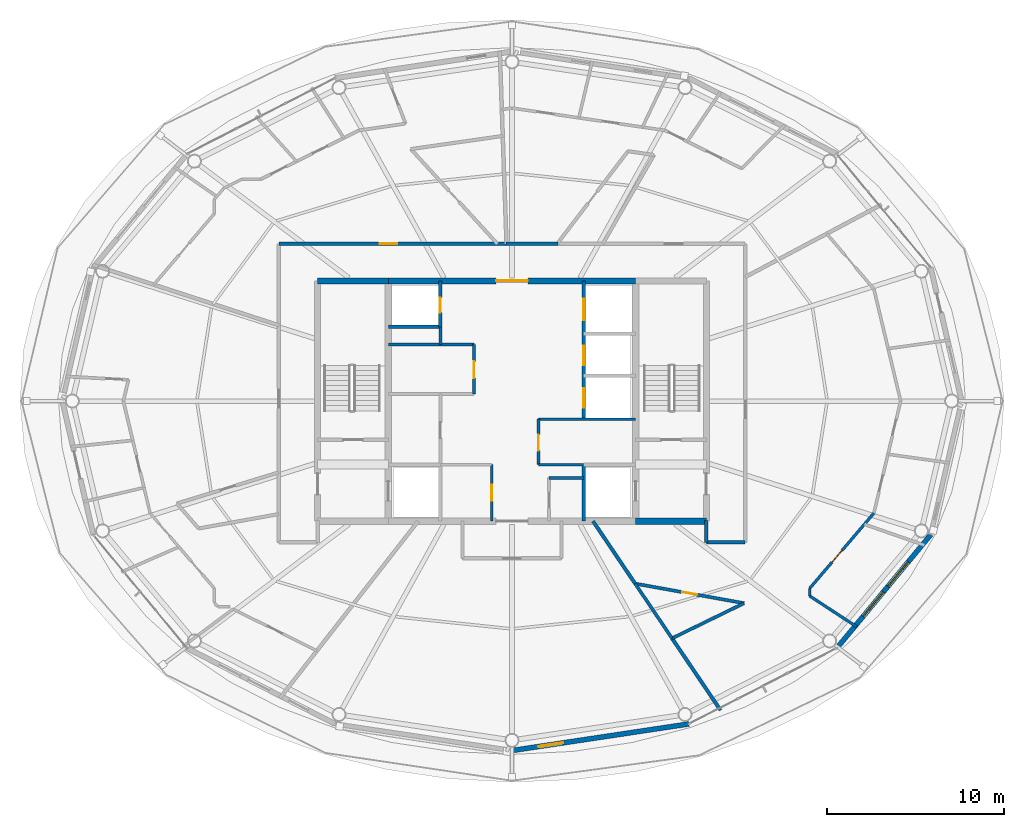
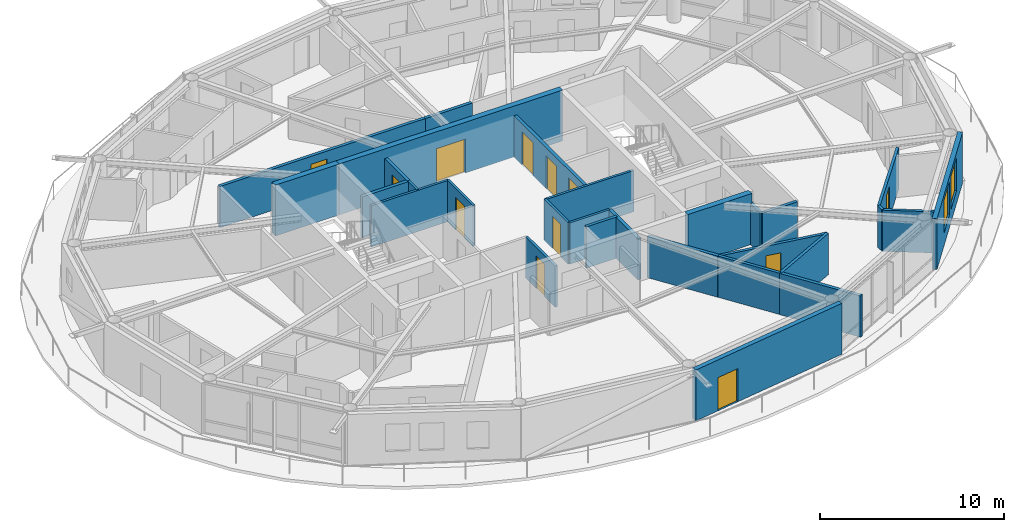
# One storey, part 17 of 22: 29 walls, 12 doors, 2 windows, 14 openings.
"""IFC4 building model written with IfcOpenShell, lengths in metres."""

import ifcopenshell
import ifcopenshell.guid

model = None  # the IFC model being written
_history = None  # IfcOwnerHistory: only IFC2X3 demands one
_inside = {}  # id of a spatial element -> (the spatial element, [elements in it])
_under = {}  # id of a project, library or spatial element -> (it, [spatial elements below it])
_declared = {}  # id of a project -> (the project, [libraries it declares])
_typed = {}  # id of a type object -> (the type object, [elements of that type])
_made_of = {}  # id of a material, layer set ... -> (it, [elements and type objects made of it])


def new_model(schema):
    """Start an empty IFC model of exactly this schema.

    Asked for "IFC4X3", IfcOpenShell would pick the latest addendum, in which some entities
    have other attributes; the version numbers below select the first issue.
    IFC2X3 requires an IfcOwnerHistory on every rooted entity: one is made here for all.
    """
    global model, _history
    if schema == "IFC4X3":
        model = ifcopenshell.file(schema_version=(4, 3, 0, 0))
    else:
        model = ifcopenshell.file(schema=schema)
    _inside.clear()
    _under.clear()
    _declared.clear()
    _typed.clear()
    _made_of.clear()
    _history = None
    if model.schema == "IFC2X3":
        org = make("IfcOrganization", Name="unknown")
        user = make(
            "IfcPersonAndOrganization",
            ThePerson=make("IfcPerson", FamilyName="unknown"),
            TheOrganization=org,
        )
        app = make(
            "IfcApplication",
            ApplicationDeveloper=org,
            Version="unknown",
            ApplicationFullName="unknown",
            ApplicationIdentifier="unknown",
        )
        _history = make(
            "IfcOwnerHistory",
            OwningUser=user,
            OwningApplication=app,
            ChangeAction="ADDED",
            CreationDate=0,
        )
    return model


def make(cls, **values):
    """One entity of the class cls with the attributes given. An attribute that is None is left unset."""
    return model.create_entity(
        cls, **{name: value for name, value in values.items() if value is not None}
    )


def rooted(cls, **values):
    """An entity with a GlobalId (a new one), such as an element, a storey or a relation."""
    return make(cls, GlobalId=ifcopenshell.guid.new(), OwnerHistory=_history, **values)


def si_unit(unit_type, name, prefix=None):
    """IfcSIUnit, for example si_unit("LENGTHUNIT", "METRE", prefix="MILLI")."""
    return make("IfcSIUnit", UnitType=unit_type, Prefix=prefix, Name=name)


def assignment(units):
    """IfcUnitAssignment: the units of a project."""
    return None if units is None else make("IfcUnitAssignment", Units=units)


def point(xyz):
    """IfcCartesianPoint."""
    return None if xyz is None else make("IfcCartesianPoint", Coordinates=xyz)


def direction(xyz):
    """IfcDirection."""
    return None if xyz is None else make("IfcDirection", DirectionRatios=xyz)


def frame(location, z_axis=None, x_axis=None):
    """IfcAxis2Placement3D, a coordinate frame: its origin and axes. An axis left out is left unset."""
    return make(
        "IfcAxis2Placement3D",
        Location=point(location),
        Axis=direction(z_axis),
        RefDirection=direction(x_axis),
    )


def frame_2d(location, x_axis=None):
    """IfcAxis2Placement2D, a coordinate frame in the plane: its origin and x axis."""
    return make(
        "IfcAxis2Placement2D", Location=point(location), RefDirection=direction(x_axis)
    )


def origin():
    """The frame at (0, 0, 0) with its axes left unset."""
    return frame((0.0, 0.0, 0.0))


def place(relative_to, where):
    """IfcLocalPlacement: puts the frame where relative to a parent placement (None: the world)."""
    return make(
        "IfcLocalPlacement", PlacementRelTo=relative_to, RelativePlacement=where
    )


def context(
    kind, dimensions, precision=None, world=None, true_north=None, identifier=None
):
    """IfcGeometricRepresentationContext, for example the 3D "Model" context."""
    return make(
        "IfcGeometricRepresentationContext",
        ContextIdentifier=identifier,
        ContextType=kind,
        CoordinateSpaceDimension=dimensions,
        Precision=precision,
        WorldCoordinateSystem=world,
        TrueNorth=true_north,
    )


def subcontext(parent, identifier, kind, view, scale=None):
    """IfcGeometricRepresentationSubContext, for example "Body" below "Model"."""
    return make(
        "IfcGeometricRepresentationSubContext",
        ContextIdentifier=identifier,
        ContextType=kind,
        ParentContext=parent,
        TargetScale=scale,
        TargetView=view,
    )


def project(units=None, contexts=None):
    """IfcProject with its units and contexts."""
    return rooted(
        "IfcProject",
        Name="project",
        RepresentationContexts=contexts,
        UnitsInContext=assignment(units),
    )


def spatial(cls, under=None, at=None, **own):
    """A site, building, storey or space (cls), placed at a placement, below another one or the project."""
    s = rooted(cls, ObjectPlacement=at, **own)
    if under is not None:
        _under.setdefault(under.id(), (under, []))[1].append(s)
    return s


def profile(cls, at=None, kind="AREA", **sizes):
    """A parametric profile (cls). Its sizes go by their IFC names, for example OverallWidth=200.0."""
    return make(cls, ProfileType=kind, Position=at, **sizes)


def rectangle(**sizes):
    """IfcRectangleProfileDef."""
    return profile("IfcRectangleProfileDef", **sizes)


def extrude(swept, where, along, depth):
    """IfcExtrudedAreaSolid: the profile swept, set in the frame where, extruded along a direction by depth."""
    return make(
        "IfcExtrudedAreaSolid",
        SweptArea=swept,
        Position=where,
        ExtrudedDirection=direction(along),
        Depth=depth,
    )


def shape(context_of_items, identifier, shape_type, items):
    """IfcShapeRepresentation: the items that make up one representation, for example the "Body"."""
    return make(
        "IfcShapeRepresentation",
        ContextOfItems=context_of_items,
        RepresentationIdentifier=identifier,
        RepresentationType=shape_type,
        Items=items,
    )


def material(Name=None, Category=None):
    """IfcMaterial."""
    return make("IfcMaterial", Name=Name, Category=Category)


def layer(
    of_material, thickness, ventilated=None, Name=None, Category=None, Priority=None
):
    """IfcMaterialLayer: one layer of a wall or slab, of a material (None: an air gap)."""
    return make(
        "IfcMaterialLayer",
        Material=of_material,
        LayerThickness=thickness,
        IsVentilated=ventilated,
        Name=Name,
        Category=Category,
        Priority=Priority,
    )


def layer_set(layers, Name=None):
    """IfcMaterialLayerSet."""
    return make("IfcMaterialLayerSet", MaterialLayers=layers, LayerSetName=Name)


def made_of(thing, what):
    """Note that an element or type object is made of a material, layer set ...; save() writes the relation."""
    if what is not None:
        _made_of.setdefault(what.id(), (what, []))[1].append(thing)
    return thing


def type_object(cls, material=None, **own):
    """A type object (cls), such as IfcWallType, which elements share."""
    return made_of(rooted(cls, **own), material)


def element(
    cls,
    number,
    at=None,
    inside=None,
    cuts=None,
    type_object=None,
    material=None,
    context=None,
    identifier="Body",
    shape_type=None,
    held_by="IfcProductDefinitionShape",
    body=None,
    shapes=None,
    **own,
):
    """One element of the class cls, such as IfcWall. Its Tag is "e" and its number.

    at: its placement. inside: the storey or other place that contains it. cuts: it is an
    opening in that element (IfcRelVoidsElement). A single representation is given by context,
    identifier, shape_type and body (its items); several are given by shapes. held_by: the class
    of the entity that holds the representations. save() writes the other relations.
    """
    e = rooted(cls, Tag="e%d" % number, ObjectPlacement=at, **own)
    if body is not None:
        shapes = [shape(context, identifier, shape_type, body)]
    if shapes is not None:
        e.Representation = make(held_by, Representations=shapes)
    if inside is not None:
        _inside.setdefault(inside.id(), (inside, []))[1].append(e)
    if cuts is not None:
        rooted(
            "IfcRelVoidsElement", RelatingBuildingElement=cuts, RelatedOpeningElement=e
        )
    if type_object is not None:
        _typed.setdefault(type_object.id(), (type_object, []))[1].append(e)
    return made_of(e, material)


def fill(opening, filler):
    """IfcRelFillsElement: the door or window that sits in an opening."""
    return rooted(
        "IfcRelFillsElement",
        RelatingOpeningElement=opening,
        RelatedBuildingElement=filler,
    )


def aggregate(whole, parts):
    """IfcRelAggregates: a whole, such as a stair, and the parts it consists of."""
    return rooted("IfcRelAggregates", RelatingObject=whole, RelatedObjects=parts)


def save(model, path):
    """Write the relations noted so far, then the file.

    IfcRelAggregates (storeys below a building ...), IfcRelContainedInSpatialStructure (elements
    in a storey), IfcRelDefinesByType, IfcRelAssociatesMaterial and IfcRelDeclares: one each for
    every whole, place, type object, material and project.
    """
    for whole, parts in _under.values():
        aggregate(whole, parts)
    for where, things in _inside.values():
        rooted(
            "IfcRelContainedInSpatialStructure",
            RelatedElements=things,
            RelatingStructure=where,
        )
    for kind, things in _typed.values():
        rooted("IfcRelDefinesByType", RelatedObjects=things, RelatingType=kind)
    for what, things in _made_of.values():
        rooted("IfcRelAssociatesMaterial", RelatedObjects=things, RelatingMaterial=what)
    for by, libraries in _declared.values():
        rooted("IfcRelDeclares", RelatingContext=by, RelatedDefinitions=libraries)
    model.write(path)


model = new_model("IFC4")

# Units and contexts
model_context = context("Model", 3, precision=1e-05, world=origin(), true_north=direction((0.0, 1.0)))
body_context = subcontext(model_context, "Body", "Model", "MODEL_VIEW")
ifc_project = project(units=[si_unit("LENGTHUNIT", "METRE"), si_unit("AREAUNIT", "SQUARE_METRE"), si_unit("VOLUMEUNIT", "CUBIC_METRE"), si_unit("PLANEANGLEUNIT", "RADIAN"), si_unit("MASSUNIT", "GRAM", prefix="KILO")], contexts=[model_context])

# Site, building, storey
site_placement = place(None, origin())
site = spatial("IfcSite", under=ifc_project, at=site_placement, CompositionType="ELEMENT")
building_placement = place(site_placement, origin())
building = spatial("IfcBuilding", under=site, at=building_placement, Name="Sarneth Arch Tower", CompositionType="ELEMENT")
storey_placement = place(building_placement, frame((0.0, 0.0, 287.39990234375)))
storey = spatial("IfcBuildingStorey", under=building, at=storey_placement, Name="L74", CompositionType="ELEMENT", Elevation=287.39990234375)

# Walls
ifc_material_1 = material(Name="Concrete C50/60", Category="concrete")
ifc_layer_1 = layer(ifc_material_1, 0.35009765625)
ifc_layer_set_1 = layer_set([ifc_layer_1], Name="Concrete C50/60")
wall_type_1 = type_object("IfcWallType", Name="WALL-CORE-350", PredefinedType="SHEAR", material=ifc_layer_set_1)
for number, where, z_axis, x_axis, name in (
    (1, (55.0, 35.199951171875, 0.0), (0.0, 0.0, 1.0), (1.0, 0.0, 0.0), "L74 Core shear wall S-E"),
    (2, (37.0, 48.800048828125, 0.0), (0.0, 0.0, 1.0), (1.0, 0.0, 0.0), "L74 Core shear wall N-W"),
):
    element("IfcWall", number, at=place(storey_placement, frame(where, z_axis=z_axis, x_axis=x_axis)), inside=storey, type_object=wall_type_1, Name=name, PredefinedType="SHEAR", context=body_context, shape_type="SweptSolid", body=[
        extrude(rectangle(XDim=4.0, YDim=0.35009765625, at=frame_2d((2.0, 0.0))), origin(), (0.0, 0.0, 1.0), 3.3701171875),
    ])

# Wall, opening, door
wall_1_placement = place(storey_placement, frame((41.0, 48.800048828125, 0.0), z_axis=(0.0, 0.0, 1.0), x_axis=(1.0, 0.0, 0.0)))
wall_1 = element("IfcWall", 3, at=wall_1_placement, inside=storey, type_object=wall_type_1, Name="L74 Core shear wall N-M", PredefinedType="SHEAR", context=body_context, shape_type="SweptSolid", body=[
    extrude(rectangle(XDim=14.0, YDim=0.35009765625, at=frame_2d((7.0, 0.0))), origin(), (0.0, 0.0, 1.0), 3.3701171875),
])
opening_1_placement = place(wall_1_placement, frame((6.10009765625, 0.0, 0.0)))
opening_1 = element("IfcOpeningElement", 4, at=opening_1_placement, cuts=wall_1, Name="Opening FD-01", PredefinedType="OPENING", context=body_context, shape_type="SweptSolid", body=[
    extrude(rectangle(XDim=1.800048828125, YDim=2.25, at=frame_2d((0.89990234375, 1.125))), frame((0.0, 0.18505859375, 0.0), z_axis=(0.0, -1.0, 0.0), x_axis=(1.0, 0.0, 0.0)), (0.0, 0.0, 1.0), 0.3701171875),
])
ifc_material_2 = material(Name="Galvanised Steel S275 fire door set", Category="steel")
door_type_1 = type_object("IfcDoorType", Name="DR-FD90-1800", OperationType="DOUBLE_DOOR_SINGLE_SWING", PredefinedType="DOOR", material=ifc_material_2)
door_1_placement = place(opening_1_placement, origin())
door_1 = element("IfcDoor", 5, at=door_1_placement, inside=storey, type_object=door_type_1, Name="L74 Central lift lobby north door", OperationType="DOUBLE_DOOR_SINGLE_SWING", OverallHeight=2.25, OverallWidth=1.800048828125, PredefinedType="DOOR", context=body_context, shape_type="SweptSolid", body=[
    extrude(rectangle(XDim=1.800048828125, YDim=2.25, at=frame_2d((0.89990234375, 1.125))), frame((0.0, 0.02490234375, 0.0), z_axis=(0.0, -1.0, 0.0), x_axis=(1.0, 0.0, 0.0)), (0.0, 0.0, 1.0), 0.050048828125),
])
fill(opening_1, door_1)

ifc_material_3 = material(Name="Double steel-stud corridor fire wall", Category="steel")
ifc_layer_2 = layer(ifc_material_3, 0.18994140625)
ifc_layer_set_2 = layer_set([ifc_layer_2], Name="Double steel-stud corridor fire wall")
wall_type_2 = type_object("IfcWallType", Name="WALL-CORR-190", PredefinedType="PARTITIONING", material=ifc_layer_set_2)
wall_2_placement = place(storey_placement, frame((34.800048828125, 50.89990234375, 0.0), z_axis=(0.0, 0.0, 1.0), x_axis=(1.0, 0.0, 0.0)))
wall_2 = element("IfcWall", 6, at=wall_2_placement, inside=storey, type_object=wall_type_2, Name="L74 Interior partition W-L74-TP-006", PredefinedType="PARTITIONING", context=body_context, shape_type="SweptSolid", body=[
    extrude(rectangle(XDim=12.921142578125, YDim=0.18994140625, at=frame_2d((6.46044921875, 0.0))), origin(), (0.0, 0.0, 1.0), 2.72998046875),
])
opening_2_placement = place(wall_2_placement, frame((5.706787109375, 0.0, 0.0)))
opening_2 = element("IfcOpeningElement", 7, at=opening_2_placement, cuts=wall_2, Name="Opening FD-08", PredefinedType="OPENING", context=body_context, shape_type="SweptSolid", body=[
    extrude(rectangle(XDim=1.0, YDim=2.199951171875, at=frame_2d((0.5, 1.10009765625))), frame((0.0, 0.10498046875, 0.0), z_axis=(0.0, -1.0, 0.0), x_axis=(1.0, 0.0, 0.0)), (0.0, 0.0, 1.0), 0.2099609375),
])
ifc_material_4 = material(Name="Hardwood timber acoustic fire door", Category="wood")
door_type_2 = type_object("IfcDoorType", Name="DR-FD60-1000", OperationType="SINGLE_SWING_LEFT", PredefinedType="DOOR", material=ifc_material_4)
door_2_placement = place(opening_2_placement, origin())
door_2 = element("IfcDoor", 8, at=door_2_placement, inside=storey, type_object=door_type_2, Name="L74 Interior door DR-L74-U2-ENT", OperationType="SINGLE_SWING_LEFT", OverallHeight=2.199951171875, OverallWidth=1.0, PredefinedType="DOOR", context=body_context, shape_type="SweptSolid", body=[
    extrude(rectangle(XDim=1.0, YDim=2.199951171875, at=frame_2d((0.5, 1.10009765625))), frame((0.0, 0.02490234375, 0.0), z_axis=(0.0, -1.0, 0.0), x_axis=(1.0, 0.0, 0.0)), (0.0, 0.0, 1.0), 0.050048828125),
])
fill(opening_2, door_2)

# Walls
wall_3_placement = place(storey_placement, frame((47.6572265625, 50.89990234375, 0.0), z_axis=(0.0, 0.0, 1.0), x_axis=(1.0, 0.0, 0.0)))
element("IfcWall", 9, at=wall_3_placement, inside=storey, type_object=wall_type_2, Name="L74 Interior partition W-L74-TP-001", PredefinedType="PARTITIONING", context=body_context, shape_type="SweptSolid", body=[
    extrude(rectangle(XDim=2.938720703125, YDim=0.18994140625, at=frame_2d((1.46923828125, 0.0))), origin(), (0.0, 0.0, 1.0), 2.72998046875),
])
wall_4_placement = place(storey_placement, frame((61.199951171875, 34.0, 0.0), z_axis=(0.0, 0.0, 1.0), x_axis=(-1.0, 0.0, 0.0)))
element("IfcWall", 10, at=wall_4_placement, inside=storey, type_object=wall_type_2, Name="L74 Interior partition W-L74-TP-014", PredefinedType="PARTITIONING", context=body_context, shape_type="SweptSolid", body=[
    extrude(rectangle(XDim=2.199951171875, YDim=0.18994140625, at=frame_2d((1.10009765625, 0.0))), origin(), (0.0, 0.0, 1.0), 2.72998046875),
])
wall_5_placement = place(storey_placement, frame((59.0, 34.0, 0.0), z_axis=(0.0, 0.0, 1.0), x_axis=(0.0, 1.0, 0.0)))
element("IfcWall", 11, at=wall_5_placement, inside=storey, type_object=wall_type_2, Name="L74 Interior partition W-L74-TP-015", PredefinedType="PARTITIONING", context=body_context, shape_type="SweptSolid", body=[
    extrude(rectangle(XDim=1.23193359375, YDim=0.18994140625, at=frame_2d((0.615966796875, 0.0))), origin(), (0.0, 0.0, 1.0), 2.72998046875),
])

# Wall, opening, door
ifc_material_5 = material(Name="Extruded terracotta rainscreen on Concrete C40/50 backing", Category="masonry")
ifc_layer_3 = layer(ifc_material_5, 0.280029296875)
ifc_layer_set_3 = layer_set([ifc_layer_3], Name="Extruded terracotta rainscreen on Concrete C40/50 backing")
wall_type_3 = type_object("IfcWallType", Name="WALL-EXT-TERRA-280", PredefinedType="SOLIDWALL", material=ifc_layer_set_3)
wall_6_placement = place(storey_placement, frame((48.0, 22.219970703125, 0.0), z_axis=(0.0, 0.0, 1.0), x_axis=(0.988882522213, 0.148698881169, 0.0)))
wall_6 = element("IfcWall", 12, at=wall_6_placement, inside=storey, type_object=wall_type_3, Name="L74 Terracotta perimeter wall 13", PredefinedType="SOLIDWALL", context=body_context, shape_type="SweptSolid", body=[
    extrude(rectangle(XDim=10.125244140625, YDim=0.280029296875, at=frame_2d((5.0625, 0.0))), origin(), (0.0, 0.0, 1.0), 3.3701171875),
])
opening_3_placement = place(wall_6_placement, frame((1.51611328125, 0.0, 0.0)))
opening_3 = element("IfcOpeningElement", 13, at=opening_3_placement, cuts=wall_6, Name="Opening BD-2", PredefinedType="OPENING", context=body_context, shape_type="SweptSolid", body=[
    extrude(rectangle(XDim=1.39990234375, YDim=2.199951171875, at=frame_2d((0.699951171875, 1.10009765625))), frame((0.0, 0.14990234375, 0.0), z_axis=(0.0, -1.0, 0.0), x_axis=(1.0, 0.0, 0.0)), (0.0, 0.0, 1.0), 0.300048828125),
])
ifc_material_6 = material(Name="Thermally broken Aluminium 6063-T6 and laminated safety glass", Category="aluminium")
door_type_3 = type_object("IfcDoorType", Name="DR-BALC-GLZ-1400", OperationType="SINGLE_SWING_LEFT", PredefinedType="DOOR", material=ifc_material_6)
door_3_placement = place(opening_3_placement, origin())
door_3 = element("IfcDoor", 14, at=door_3_placement, inside=storey, type_object=door_type_3, Name="L74 Balcony glazed door 13", OperationType="SINGLE_SWING_LEFT", OverallHeight=2.199951171875, OverallWidth=1.39990234375, PredefinedType="DOOR", context=body_context, shape_type="SweptSolid", body=[
    extrude(rectangle(XDim=1.39990234375, YDim=2.199951171875, at=frame_2d((0.699951171875, 1.10009765625))), frame((0.0, 0.02490234375, 0.0), z_axis=(0.0, -1.0, 0.0), x_axis=(1.0, 0.0, 0.0)), (0.0, 0.0, 1.0), 0.050048828125),
])
fill(opening_3, door_3)

# Wall, openings, windows
wall_7_placement = place(storey_placement, frame((66.382568359375, 28.013427734375, 0.0), z_axis=(0.0, 0.0, 1.0), x_axis=(0.63761509934, 0.770355103243, 0.0)))
wall_7 = element("IfcWall", 15, at=wall_7_placement, inside=storey, type_object=wall_type_3, Name="L74 Terracotta perimeter wall 15", PredefinedType="SOLIDWALL", context=body_context, shape_type="SweptSolid", body=[
    extrude(rectangle(XDim=8.329833984375, YDim=0.280029296875, at=frame_2d((4.1650390625, 0.0))), origin(), (0.0, 0.0, 1.0), 3.3701171875),
])
opening_4_placement = place(wall_7_placement, frame((2.325927734375, 0.0, 0.85009765625)))
opening_4 = element("IfcOpeningElement", 16, at=opening_4_placement, cuts=wall_7, Name="Opening W-04", PredefinedType="OPENING", context=body_context, shape_type="SweptSolid", body=[
    extrude(rectangle(XDim=1.800048828125, YDim=2.199951171875, at=frame_2d((0.89990234375, 1.10009765625))), frame((0.0, 0.14990234375, 0.0), z_axis=(0.0, -1.0, 0.0), x_axis=(1.0, 0.0, 0.0)), (0.0, 0.0, 1.0), 0.300048828125),
])
opening_5_placement = place(wall_7_placement, frame((4.546142578125, 0.0, 0.85009765625)))
opening_5 = element("IfcOpeningElement", 17, at=opening_5_placement, cuts=wall_7, Name="Opening W-04", PredefinedType="OPENING", context=body_context, shape_type="SweptSolid", body=[
    extrude(rectangle(XDim=1.800048828125, YDim=2.199951171875, at=frame_2d((0.89990234375, 1.10009765625))), frame((0.0, 0.14990234375, 0.0), z_axis=(0.0, -1.0, 0.0), x_axis=(1.0, 0.0, 0.0)), (0.0, 0.0, 1.0), 0.300048828125),
])
ifc_material_7 = material(Name="Thermally broken Aluminium 6063-T6 and low-e laminated IGU", Category="aluminium")
window_type = type_object("IfcWindowType", Name="WIN-TWR-1800x2200", PartitioningType="DOUBLE_PANEL_VERTICAL", PredefinedType="WINDOW", material=ifc_material_7)
window_1_placement = place(opening_4_placement, origin())
window_1 = element("IfcWindow", 18, at=window_1_placement, inside=storey, type_object=window_type, Name="L74 Exterior window 15A", OverallHeight=2.199951171875, OverallWidth=1.800048828125, PartitioningType="SINGLE_PANEL", PredefinedType="WINDOW", context=body_context, shape_type="SweptSolid", body=[
    extrude(rectangle(XDim=1.800048828125, YDim=2.199951171875, at=frame_2d((0.89990234375, 1.10009765625))), frame((0.0, 0.030029296875, 0.0), z_axis=(0.0, -1.0, 0.0), x_axis=(1.0, 0.0, 0.0)), (0.0, 0.0, 1.0), 0.06005859375),
])
fill(opening_4, window_1)
window_2_placement = place(opening_5_placement, origin())
window_2 = element("IfcWindow", 19, at=window_2_placement, inside=storey, type_object=window_type, Name="L74 Exterior window 15B", OverallHeight=2.199951171875, OverallWidth=1.800048828125, PartitioningType="SINGLE_PANEL", PredefinedType="WINDOW", context=body_context, shape_type="SweptSolid", body=[
    extrude(rectangle(XDim=1.800048828125, YDim=2.199951171875, at=frame_2d((0.89990234375, 1.10009765625))), frame((0.0, 0.030029296875, 0.0), z_axis=(0.0, -1.0, 0.0), x_axis=(1.0, 0.0, 0.0)), (0.0, 0.0, 1.0), 0.06005859375),
])
fill(opening_5, window_2)

# Walls
ifc_material_8 = material(Name="Acoustic gypsum stud partition", Category="gypsum")
ifc_layer_4 = layer(ifc_material_8, 0.14990234375)
ifc_layer_set_4 = layer_set([ifc_layer_4], Name="Acoustic gypsum stud partition")
wall_type_4 = type_object("IfcWallType", Name="WALL-PART-150", PredefinedType="PARTITIONING", material=ifc_layer_set_4)
wall_8_placement = place(storey_placement, frame((41.0, 45.199951171875, 0.0), z_axis=(0.0, 0.0, 1.0), x_axis=(1.0, 0.0, 0.0)))
element("IfcWall", 20, at=wall_8_placement, inside=storey, type_object=wall_type_4, Name="L74 Interior partition W-L74-RECPM1-N", PredefinedType="PARTITIONING", context=body_context, shape_type="SweptSolid", body=[
    extrude(rectangle(XDim=4.85009765625, YDim=0.14990234375, at=frame_2d((2.425048828125, 0.0))), origin(), (0.0, 0.0, 1.0), 2.72998046875),
])
wall_9_placement = place(storey_placement, frame((43.949951171875, 45.199951171875, 0.0), z_axis=(0.0, 0.0, 1.0), x_axis=(0.0, 1.0, 0.0)))
element("IfcWall", 21, at=wall_9_placement, inside=storey, type_object=wall_type_4, Name="L74 Interior partition W-L74-RECPM1-W2", PredefinedType="PARTITIONING", context=body_context, shape_type="SweptSolid", body=[
    extrude(rectangle(XDim=1.0, YDim=0.14990234375, at=frame_2d((0.5, 0.0))), origin(), (0.0, 0.0, 1.0), 2.72998046875),
])

# Wall, opening, door
wall_10_placement = place(storey_placement, frame((45.85009765625, 42.39990234375, 0.0), z_axis=(0.0, 0.0, 1.0), x_axis=(0.0, 1.0, 0.0)))
wall_10 = element("IfcWall", 22, at=wall_10_placement, inside=storey, type_object=wall_type_4, Name="L74 Interior partition W-L74-RECPM1-E", PredefinedType="PARTITIONING", context=body_context, shape_type="SweptSolid", body=[
    extrude(rectangle(XDim=2.800048828125, YDim=0.14990234375, at=frame_2d((1.39990234375, 0.0))), origin(), (0.0, 0.0, 1.0), 2.72998046875),
])
opening_6_placement = place(wall_10_placement, frame((0.89990234375, 0.0, 0.0)))
opening_6 = element("IfcOpeningElement", 23, at=opening_6_placement, cuts=wall_10, Name="Opening FD-09", PredefinedType="OPENING", context=body_context, shape_type="SweptSolid", body=[
    extrude(rectangle(XDim=0.949951171875, YDim=2.14990234375, at=frame_2d((0.47509765625, 1.074951171875))), frame((0.0, 0.0849609375, 0.0), z_axis=(0.0, -1.0, 0.0), x_axis=(1.0, 0.0, 0.0)), (0.0, 0.0, 1.0), 0.169921875),
])
ifc_material_9 = material(Name="Hardwood timber hotel entrance fire door", Category="wood")
door_type_4 = type_object("IfcDoorType", Name="DR-FD60-950", OperationType="SINGLE_SWING_RIGHT", PredefinedType="DOOR", material=ifc_material_9)
door_4_placement = place(opening_6_placement, origin())
door_4 = element("IfcDoor", 24, at=door_4_placement, inside=storey, type_object=door_type_4, Name="L74 Interior door DR-L74-RECPM1", OperationType="SINGLE_SWING_RIGHT", OverallHeight=2.14990234375, OverallWidth=0.949951171875, PredefinedType="DOOR", context=body_context, shape_type="SweptSolid", body=[
    extrude(rectangle(XDim=0.949951171875, YDim=2.14990234375, at=frame_2d((0.47509765625, 1.074951171875))), frame((0.0, 0.02490234375, 0.0), z_axis=(0.0, -1.0, 0.0), x_axis=(1.0, 0.0, 0.0)), (0.0, 0.0, 1.0), 0.050048828125),
])
fill(opening_6, door_4)

# Walls
wall_11_placement = place(storey_placement, frame((49.5, 40.97998046875, 0.0), z_axis=(0.0, 0.0, 1.0), x_axis=(1.0, 0.0, 0.0)))
element("IfcWall", 25, at=wall_11_placement, inside=storey, type_object=wall_type_4, Name="L74 Interior partition W-L74-RECPM2-N", PredefinedType="PARTITIONING", context=body_context, shape_type="SweptSolid", body=[
    extrude(rectangle(XDim=5.5, YDim=0.14990234375, at=frame_2d((2.75, 0.0))), origin(), (0.0, 0.0, 1.0), 2.72998046875),
])
wall_12_placement = place(storey_placement, frame((49.5, 38.39990234375, 0.0), z_axis=(0.0, 0.0, 1.0), x_axis=(1.0, 0.0, 0.0)))
element("IfcWall", 26, at=wall_12_placement, inside=storey, type_object=wall_type_4, Name="L74 Interior partition W-L74-RECPM2-S", PredefinedType="PARTITIONING", context=body_context, shape_type="SweptSolid", body=[
    extrude(rectangle(XDim=2.550048828125, YDim=0.14990234375, at=frame_2d((1.27490234375, 0.0))), origin(), (0.0, 0.0, 1.0), 2.72998046875),
])

# Wall, opening, door
wall_13_placement = place(storey_placement, frame((49.5, 38.39990234375, 0.0), z_axis=(0.0, 0.0, 1.0), x_axis=(0.0, 1.0, 0.0)))
wall_13 = element("IfcWall", 27, at=wall_13_placement, inside=storey, type_object=wall_type_4, Name="L74 Interior partition W-L74-RECPM2-W", PredefinedType="PARTITIONING", context=body_context, shape_type="SweptSolid", body=[
    extrude(rectangle(XDim=2.580078125, YDim=0.14990234375, at=frame_2d((1.2900390625, 0.0))), origin(), (0.0, 0.0, 1.0), 2.72998046875),
])
opening_7_placement = place(wall_13_placement, frame((0.800048828125, 0.0, 0.0)))
opening_7 = element("IfcOpeningElement", 28, at=opening_7_placement, cuts=wall_13, Name="Opening FD-10", PredefinedType="OPENING", context=body_context, shape_type="SweptSolid", body=[
    extrude(rectangle(XDim=0.89990234375, YDim=2.14990234375, at=frame_2d((0.449951171875, 1.074951171875))), frame((0.0, 0.0849609375, 0.0), z_axis=(0.0, -1.0, 0.0), x_axis=(1.0, 0.0, 0.0)), (0.0, 0.0, 1.0), 0.169921875),
])
ifc_material_10 = material(Name="Galvanised Steel S275 riser/service fire door", Category="steel")
door_type_5 = type_object("IfcDoorType", Name="DR-FD60-900", OperationType="SINGLE_SWING_LEFT", PredefinedType="DOOR", material=ifc_material_10)
door_5_placement = place(opening_7_placement, origin())
door_5 = element("IfcDoor", 29, at=door_5_placement, inside=storey, type_object=door_type_5, Name="L74 Interior door DR-L74-RECPM2", OperationType="SINGLE_SWING_LEFT", OverallHeight=2.14990234375, OverallWidth=0.89990234375, PredefinedType="DOOR", context=body_context, shape_type="SweptSolid", body=[
    extrude(rectangle(XDim=0.89990234375, YDim=2.14990234375, at=frame_2d((0.449951171875, 1.074951171875))), frame((0.0, 0.02490234375, 0.0), z_axis=(0.0, -1.0, 0.0), x_axis=(1.0, 0.0, 0.0)), (0.0, 0.0, 1.0), 0.050048828125),
])
fill(opening_7, door_5)

wall_14_placement = place(storey_placement, frame((46.85009765625, 35.199951171875, 0.0), z_axis=(0.0, 0.0, 1.0), x_axis=(0.0, 1.0, 0.0)))
wall_14 = element("IfcWall", 30, at=wall_14_placement, inside=storey, type_object=wall_type_4, Name="L74 Interior partition W-L74-CSUP1-E", PredefinedType="PARTITIONING", context=body_context, shape_type="SweptSolid", body=[
    extrude(rectangle(XDim=3.199951171875, YDim=0.14990234375, at=frame_2d((1.60009765625, 0.0))), origin(), (0.0, 0.0, 1.0), 2.72998046875),
])
opening_8_placement = place(wall_14_placement, frame((1.14990234375, 0.0, 0.0)))
opening_8 = element("IfcOpeningElement", 31, at=opening_8_placement, cuts=wall_14, Name="Opening FD-10", PredefinedType="OPENING", context=body_context, shape_type="SweptSolid", body=[
    extrude(rectangle(XDim=0.89990234375, YDim=2.14990234375, at=frame_2d((0.449951171875, 1.074951171875))), frame((0.0, 0.0849609375, 0.0), z_axis=(0.0, -1.0, 0.0), x_axis=(1.0, 0.0, 0.0)), (0.0, 0.0, 1.0), 0.169921875),
])
door_6_placement = place(opening_8_placement, origin())
door_6 = element("IfcDoor", 32, at=door_6_placement, inside=storey, type_object=door_type_5, Name="L74 Interior door DR-L74-CSUP1", OperationType="SINGLE_SWING_LEFT", OverallHeight=2.14990234375, OverallWidth=0.89990234375, PredefinedType="DOOR", context=body_context, shape_type="SweptSolid", body=[
    extrude(rectangle(XDim=0.89990234375, YDim=2.14990234375, at=frame_2d((0.449951171875, 1.074951171875))), frame((0.0, 0.02490234375, 0.0), z_axis=(0.0, -1.0, 0.0), x_axis=(1.0, 0.0, 0.0)), (0.0, 0.0, 1.0), 0.050048828125),
])
fill(opening_8, door_6)

ifc_material_11 = material(Name="Kitchen wet service chase wall", Category="gypsum")
ifc_layer_5 = layer(ifc_material_11, 0.159912109375)
ifc_layer_set_5 = layer_set([ifc_layer_5], Name="Kitchen wet service chase wall")
wall_type_5 = type_object("IfcWallType", Name="WALL-PLUMB-160", PredefinedType="PLUMBINGWALL", material=ifc_layer_set_5)
wall_15_placement = place(storey_placement, frame((64.85009765625, 31.401123046875, 0.0), z_axis=(0.0, 0.0, 1.0), x_axis=(0.649208179997, 0.760610767097, 0.0)))
wall_15 = element("IfcWall", 33, at=wall_15_placement, inside=storey, type_object=wall_type_5, Name="L74 Interior partition W-L74-TP-080", PredefinedType="PLUMBINGWALL", context=body_context, shape_type="SweptSolid", body=[
    extrude(rectangle(XDim=5.5927734375, YDim=0.159912109375, at=frame_2d((2.79638671875, 0.0))), origin(), (0.0, 0.0, 1.0), 2.72998046875),
])
opening_9_placement = place(wall_15_placement, frame((1.933349609375, 0.0, 0.0)))
opening_9 = element("IfcOpeningElement", 34, at=opening_9_placement, cuts=wall_15, Name="Opening ID-01", PredefinedType="OPENING", context=body_context, shape_type="SweptSolid", body=[
    extrude(rectangle(XDim=0.89990234375, YDim=2.10009765625, at=frame_2d((0.449951171875, 1.050048828125))), frame((0.0, 0.08984375, 0.0), z_axis=(0.0, -1.0, 0.0), x_axis=(1.0, 0.0, 0.0)), (0.0, 0.0, 1.0), 0.179931640625),
])
ifc_material_12 = material(Name="Engineered hardwood flush door", Category="wood")
door_type_6 = type_object("IfcDoorType", Name="DR-INT-900", OperationType="SINGLE_SWING_LEFT", PredefinedType="DOOR", material=ifc_material_12)
door_7_placement = place(opening_9_placement, origin())
door_7 = element("IfcDoor", 35, at=door_7_placement, inside=storey, type_object=door_type_6, Name="L74 Interior door DR-L74-U5-KIT", OperationType="SINGLE_SWING_RIGHT", OverallHeight=2.10009765625, OverallWidth=0.89990234375, PredefinedType="DOOR", context=body_context, shape_type="SweptSolid", body=[
    extrude(rectangle(XDim=0.89990234375, YDim=2.10009765625, at=frame_2d((0.449951171875, 1.050048828125))), frame((0.0, 0.02490234375, 0.0), z_axis=(0.0, -1.0, 0.0), x_axis=(1.0, 0.0, 0.0)), (0.0, 0.0, 1.0), 0.050048828125),
])
fill(opening_9, door_7)

# Walls
wall_16_placement = place(storey_placement, frame((67.530029296875, 29.212890625, 0.0), z_axis=(0.0, 0.0, 1.0), x_axis=(-0.836629755679, 0.547768794212, 0.0)))
element("IfcWall", 36, at=wall_16_placement, inside=storey, type_object=wall_type_5, Name="L74 Interior partition W-L74-TP-078", PredefinedType="PLUMBINGWALL", context=body_context, shape_type="SweptSolid", body=[
    extrude(rectangle(XDim=3.203125, YDim=0.159912109375, at=frame_2d((1.6015625, 0.0))), origin(), (0.0, 0.0, 1.0), 2.72998046875),
])
wall_17_placement = place(storey_placement, frame((64.85009765625, 30.967529296875, 0.0), z_axis=(0.0, 0.0, 1.0), x_axis=(0.0, 1.0, 0.0)))
element("IfcWall", 37, at=wall_17_placement, inside=storey, type_object=wall_type_5, Name="L74 Interior partition W-L74-TP-079", PredefinedType="PLUMBINGWALL", context=body_context, shape_type="SweptSolid", body=[
    extrude(rectangle(XDim=0.43359375, YDim=0.159912109375, at=frame_2d((0.216796875, 0.0))), origin(), (0.0, 0.0, 1.0), 2.72998046875),
])
ifc_material_13 = material(Name="Moisture-resistant plumbing chase wall", Category="gypsum")
ifc_layer_6 = layer(ifc_material_13, 0.179931640625)
ifc_layer_set_6 = layer_set([ifc_layer_6], Name="Moisture-resistant plumbing chase wall")
wall_type_6 = type_object("IfcWallType", Name="WALL-PLUMB-180", PredefinedType="PLUMBINGWALL", material=ifc_layer_set_6)
wall_18_placement = place(storey_placement, frame((50.10009765625, 37.64990234375, 0.0), z_axis=(0.0, 0.0, 1.0), x_axis=(1.0, 0.0, 0.0)))
element("IfcWall", 38, at=wall_18_placement, inside=storey, type_object=wall_type_6, Name="L74 Interior partition W-L74-AWC-N", PredefinedType="PLUMBINGWALL", context=body_context, shape_type="SweptSolid", body=[
    extrude(rectangle(XDim=1.949951171875, YDim=0.179931640625, at=frame_2d((0.97509765625, 0.0))), origin(), (0.0, 0.0, 1.0), 2.72998046875),
])

# Wall, opening, door
wall_19_placement = place(storey_placement, frame((54.9697265625, 31.6669921875, 0.0), z_axis=(0.0, 0.0, 1.0), x_axis=(0.98424617738, -0.176803456736, 0.0)))
wall_19 = element("IfcWall", 39, at=wall_19_placement, inside=storey, type_object=wall_type_6, Name="L74 Interior partition W-L74-TP-081", PredefinedType="PLUMBINGWALL", context=body_context, shape_type="SweptSolid", body=[
    extrude(rectangle(XDim=6.264892578125, YDim=0.179931640625, at=frame_2d((3.13232421875, 0.0))), origin(), (0.0, 0.0, 1.0), 2.72998046875),
])
opening_10_placement = place(wall_19_placement, frame((2.70751953125, 0.0, 0.0)))
opening_10 = element("IfcOpeningElement", 40, at=opening_10_placement, cuts=wall_19, Name="Opening ID-02", PredefinedType="OPENING", context=body_context, shape_type="SweptSolid", body=[
    extrude(rectangle(XDim=0.85009765625, YDim=2.10009765625, at=frame_2d((0.425048828125, 1.050048828125))), frame((0.0, 0.099853515625, 0.0), z_axis=(0.0, -1.0, 0.0), x_axis=(1.0, 0.0, 0.0)), (0.0, 0.0, 1.0), 0.199951171875),
])
ifc_material_14 = material(Name="Moisture-resistant bathroom timber door", Category="wood")
door_type_7 = type_object("IfcDoorType", Name="DR-INT-850", OperationType="SINGLE_SWING_RIGHT", PredefinedType="DOOR", material=ifc_material_14)
door_8_placement = place(opening_10_placement, origin())
door_8 = element("IfcDoor", 41, at=door_8_placement, inside=storey, type_object=door_type_7, Name="L74 Interior door DR-L74-U5-BATH", OperationType="SINGLE_SWING_LEFT", OverallHeight=2.10009765625, OverallWidth=0.85009765625, PredefinedType="DOOR", context=body_context, shape_type="SweptSolid", body=[
    extrude(rectangle(XDim=0.85009765625, YDim=2.10009765625, at=frame_2d((0.425048828125, 1.050048828125))), frame((0.0, 0.02490234375, 0.0), z_axis=(0.0, -1.0, 0.0), x_axis=(1.0, 0.0, 0.0)), (0.0, 0.0, 1.0), 0.050048828125),
])
fill(opening_10, door_8)

# Walls
wall_20_placement = place(storey_placement, frame((61.135986328125, 30.559326171875, 0.0), z_axis=(0.0, 0.0, 1.0), x_axis=(-0.898933361371, -0.438085393291, 0.0)))
element("IfcWall", 42, at=wall_20_placement, inside=storey, type_object=wall_type_6, Name="L74 Interior partition W-L74-TP-082", PredefinedType="PLUMBINGWALL", context=body_context, shape_type="SweptSolid", body=[
    extrude(rectangle(XDim=4.536865234375, YDim=0.179931640625, at=frame_2d((2.2685546875, 0.0))), origin(), (0.0, 0.0, 1.0), 2.72998046875),
])
wall_21_placement = place(storey_placement, frame((57.0576171875, 28.57177734375, 0.0), z_axis=(0.0, 0.0, 1.0), x_axis=(-0.559219016168, 0.82901995872, 0.0)))
element("IfcWall", 43, at=wall_21_placement, inside=storey, type_object=wall_type_6, Name="L74 Interior partition W-L74-TP-077", PredefinedType="PLUMBINGWALL", context=body_context, shape_type="SweptSolid", body=[
    extrude(rectangle(XDim=3.733642578125, YDim=0.179931640625, at=frame_2d((1.86669921875, 0.0))), origin(), (0.0, 0.0, 1.0), 2.72998046875),
])
ifc_material_15 = material(Name="Aerated concrete blockwork C25/30", Category="masonry")
ifc_layer_7 = layer(ifc_material_15, 0.199951171875)
ifc_layer_set_7 = layer_set([ifc_layer_7], Name="Aerated concrete blockwork C25/30")
wall_type_7 = type_object("IfcWallType", Name="WALL-SHAFT-200", PredefinedType="SOLIDWALL", material=ifc_layer_set_7)
wall_22_placement = place(storey_placement, frame((52.050048828125, 35.199951171875, 0.0), z_axis=(0.0, 0.0, 1.0), x_axis=(0.0, 1.0, 0.0)))
element("IfcWall", 44, at=wall_22_placement, inside=storey, type_object=wall_type_7, Name="L74 Interior partition W-L74-FL2-W", PredefinedType="SOLIDWALL", context=body_context, shape_type="SweptSolid", body=[
    extrude(rectangle(XDim=3.199951171875, YDim=0.199951171875, at=frame_2d((1.60009765625, 0.0))), origin(), (0.0, 0.0, 1.0), 2.72998046875),
])
wall_23_placement = place(storey_placement, frame((41.0, 46.199951171875, 0.0), z_axis=(0.0, 0.0, 1.0), x_axis=(1.0, 0.0, 0.0)))
element("IfcWall", 45, at=wall_23_placement, inside=storey, type_object=wall_type_7, Name="L74 Interior partition W-L74-RISER-S", PredefinedType="SOLIDWALL", context=body_context, shape_type="SweptSolid", body=[
    extrude(rectangle(XDim=2.949951171875, YDim=0.199951171875, at=frame_2d((1.47509765625, 0.0))), origin(), (0.0, 0.0, 1.0), 2.72998046875),
])

# Wall, opening, door
wall_24_placement = place(storey_placement, frame((43.949951171875, 46.199951171875, 0.0), z_axis=(0.0, 0.0, 1.0), x_axis=(0.0, 1.0, 0.0)))
wall_24 = element("IfcWall", 46, at=wall_24_placement, inside=storey, type_object=wall_type_7, Name="L74 Interior partition W-L74-RISER-E", PredefinedType="SOLIDWALL", context=body_context, shape_type="SweptSolid", body=[
    extrude(rectangle(XDim=2.60009765625, YDim=0.199951171875, at=frame_2d((1.300048828125, 0.0))), origin(), (0.0, 0.0, 1.0), 2.72998046875),
])
opening_11_placement = place(wall_24_placement, frame((0.800048828125, 0.0, 0.0)))
opening_11 = element("IfcOpeningElement", 47, at=opening_11_placement, cuts=wall_24, Name="Opening FD-11", PredefinedType="OPENING", context=body_context, shape_type="SweptSolid", body=[
    extrude(rectangle(XDim=0.85009765625, YDim=2.14990234375, at=frame_2d((0.425048828125, 1.074951171875))), frame((0.0, 0.10986328125, 0.0), z_axis=(0.0, -1.0, 0.0), x_axis=(1.0, 0.0, 0.0)), (0.0, 0.0, 1.0), 0.219970703125),
])
ifc_material_16 = material(Name="Galvanised Steel S275 closet fire door", Category="steel")
door_type_8 = type_object("IfcDoorType", Name="DR-FD60-850", OperationType="SINGLE_SWING_LEFT", PredefinedType="DOOR", material=ifc_material_16)
door_9_placement = place(opening_11_placement, origin())
door_9 = element("IfcDoor", 48, at=door_9_placement, inside=storey, type_object=door_type_8, Name="L74 Lift landing door DR-L74-RISER", OperationType="SINGLE_SWING_LEFT", OverallHeight=2.14990234375, OverallWidth=0.85009765625, PredefinedType="DOOR", context=body_context, shape_type="SweptSolid", body=[
    extrude(rectangle(XDim=0.85009765625, YDim=2.14990234375, at=frame_2d((0.425048828125, 1.074951171875))), frame((0.0, 0.02490234375, 0.0), z_axis=(0.0, -1.0, 0.0), x_axis=(1.0, 0.0, 0.0)), (0.0, 0.0, 1.0), 0.050048828125),
])
fill(opening_11, door_9)

# Wall, openings, doors
wall_25_placement = place(storey_placement, frame((52.050048828125, 40.97998046875, 0.0), z_axis=(0.0, 0.0, 1.0), x_axis=(0.0, 1.0, 0.0)))
wall_25 = element("IfcWall", 49, at=wall_25_placement, inside=storey, type_object=wall_type_7, Name="L74 Interior partition W-L74-EASTBANK-UPPER", PredefinedType="SOLIDWALL", context=body_context, shape_type="SweptSolid", body=[
    extrude(rectangle(XDim=7.820068359375, YDim=0.199951171875, at=frame_2d((3.91015625, 0.0))), origin(), (0.0, 0.0, 1.0), 2.72998046875),
])
opening_12_placement = place(wall_25_placement, frame((0.64990234375, 0.0, 0.0)))
opening_12 = element("IfcOpeningElement", 50, at=opening_12_placement, cuts=wall_25, Name="Opening LD-1", PredefinedType="OPENING", context=body_context, shape_type="SweptSolid", body=[
    extrude(rectangle(XDim=1.10009765625, YDim=2.199951171875, at=frame_2d((0.550048828125, 1.10009765625))), frame((0.0, 0.10986328125, 0.0), z_axis=(0.0, -1.0, 0.0), x_axis=(1.0, 0.0, 0.0)), (0.0, 0.0, 1.0), 0.219970703125),
])
opening_13_placement = place(wall_25_placement, frame((3.050048828125, 0.0, 0.0)))
opening_13 = element("IfcOpeningElement", 51, at=opening_13_placement, cuts=wall_25, Name="Opening LD-1", PredefinedType="OPENING", context=body_context, shape_type="SweptSolid", body=[
    extrude(rectangle(XDim=1.10009765625, YDim=2.199951171875, at=frame_2d((0.550048828125, 1.10009765625))), frame((0.0, 0.10986328125, 0.0), z_axis=(0.0, -1.0, 0.0), x_axis=(1.0, 0.0, 0.0)), (0.0, 0.0, 1.0), 0.219970703125),
])
opening_14_placement = place(wall_25_placement, frame((5.60009765625, 0.0, 0.0)))
opening_14 = element("IfcOpeningElement", 52, at=opening_14_placement, cuts=wall_25, Name="Opening LD-2", PredefinedType="OPENING", context=body_context, shape_type="SweptSolid", body=[
    extrude(rectangle(XDim=1.199951171875, YDim=2.199951171875, at=frame_2d((0.60009765625, 1.10009765625))), frame((0.0, 0.10986328125, 0.0), z_axis=(0.0, -1.0, 0.0), x_axis=(1.0, 0.0, 0.0)), (0.0, 0.0, 1.0), 0.219970703125),
])
ifc_material_17 = material(Name="Brushed Stainless Steel 304 lift landing door", Category="steel")
door_type_9 = type_object("IfcDoorType", Name="DR-LIFT-SLIDE-1100", OperationType="SLIDING_TO_LEFT", PredefinedType="DOOR", material=ifc_material_17)
door_10_placement = place(opening_12_placement, origin())
door_10 = element("IfcDoor", 53, at=door_10_placement, inside=storey, type_object=door_type_9, Name="L74 Lift landing door DR-L74-LD-PH1", OperationType="SLIDING_TO_RIGHT", OverallHeight=2.199951171875, OverallWidth=1.10009765625, PredefinedType="DOOR", context=body_context, shape_type="SweptSolid", body=[
    extrude(rectangle(XDim=1.10009765625, YDim=2.199951171875, at=frame_2d((0.550048828125, 1.10009765625))), frame((0.0, 0.02490234375, 0.0), z_axis=(0.0, -1.0, 0.0), x_axis=(1.0, 0.0, 0.0)), (0.0, 0.0, 1.0), 0.050048828125),
])
fill(opening_12, door_10)
door_11_placement = place(opening_13_placement, origin())
door_11 = element("IfcDoor", 54, at=door_11_placement, inside=storey, type_object=door_type_9, Name="L74 Lift landing door DR-L74-LD-PH2", OperationType="SLIDING_TO_LEFT", OverallHeight=2.199951171875, OverallWidth=1.10009765625, PredefinedType="DOOR", context=body_context, shape_type="SweptSolid", body=[
    extrude(rectangle(XDim=1.10009765625, YDim=2.199951171875, at=frame_2d((0.550048828125, 1.10009765625))), frame((0.0, 0.02490234375, 0.0), z_axis=(0.0, -1.0, 0.0), x_axis=(1.0, 0.0, 0.0)), (0.0, 0.0, 1.0), 0.050048828125),
])
fill(opening_13, door_11)
ifc_material_18 = material(Name="Brushed Stainless Steel 304 service lift door", Category="steel")
door_type_10 = type_object("IfcDoorType", Name="DR-LIFT-SLIDE-1200", OperationType="SLIDING_TO_RIGHT", PredefinedType="DOOR", material=ifc_material_18)
door_12_placement = place(opening_14_placement, origin())
door_12 = element("IfcDoor", 55, at=door_12_placement, inside=storey, type_object=door_type_10, Name="L74 Lift landing door DR-L74-LD-SL1", OperationType="SLIDING_TO_RIGHT", OverallHeight=2.199951171875, OverallWidth=1.199951171875, PredefinedType="DOOR", context=body_context, shape_type="SweptSolid", body=[
    extrude(rectangle(XDim=1.199951171875, YDim=2.199951171875, at=frame_2d((0.60009765625, 1.10009765625))), frame((0.0, 0.02490234375, 0.0), z_axis=(0.0, -1.0, 0.0), x_axis=(1.0, 0.0, 0.0)), (0.0, 0.0, 1.0), 0.050048828125),
])
fill(opening_14, door_12)

# Walls
ifc_material_19 = material(Name="Double steel-stud acoustic drywall", Category="steel")
ifc_layer_8 = layer(ifc_material_19, 0.199951171875)
ifc_layer_set_8 = layer_set([ifc_layer_8], Name="Double steel-stud acoustic drywall")
wall_type_8 = type_object("IfcWallType", Name="WALL-UNIT-200", PredefinedType="PARTITIONING", material=ifc_layer_set_8)
wall_26_placement = place(storey_placement, frame((59.79931640625, 24.507080078125, 0.0), z_axis=(0.0, 0.0, 1.0), x_axis=(-0.559196589516, 0.829035086274, 0.0)))
element("IfcWall", 56, at=wall_26_placement, inside=storey, type_object=wall_type_8, Name="L74 Interior partition W-L74-TP-076", PredefinedType="PARTITIONING", context=body_context, shape_type="SweptSolid", body=[
    extrude(rectangle(XDim=4.90283203125, YDim=0.199951171875, at=frame_2d((2.451416015625, 0.0))), origin(), (0.0, 0.0, 1.0), 2.72998046875),
])
wall_27_placement = place(storey_placement, frame((54.9697265625, 31.6669921875, 0.0), z_axis=(0.0, 0.0, 1.0), x_axis=(-0.559200276542, 0.829032599308, 0.0)))
element("IfcWall", 57, at=wall_27_placement, inside=storey, type_object=wall_type_8, Name="L74 Interior partition W-L74-TP-075", PredefinedType="PARTITIONING", context=body_context, shape_type="SweptSolid", body=[
    extrude(rectangle(XDim=4.261474609375, YDim=0.199951171875, at=frame_2d((2.130859375, 0.0))), origin(), (0.0, 0.0, 1.0), 2.72998046875),
])

save(model, "model.ifc")
